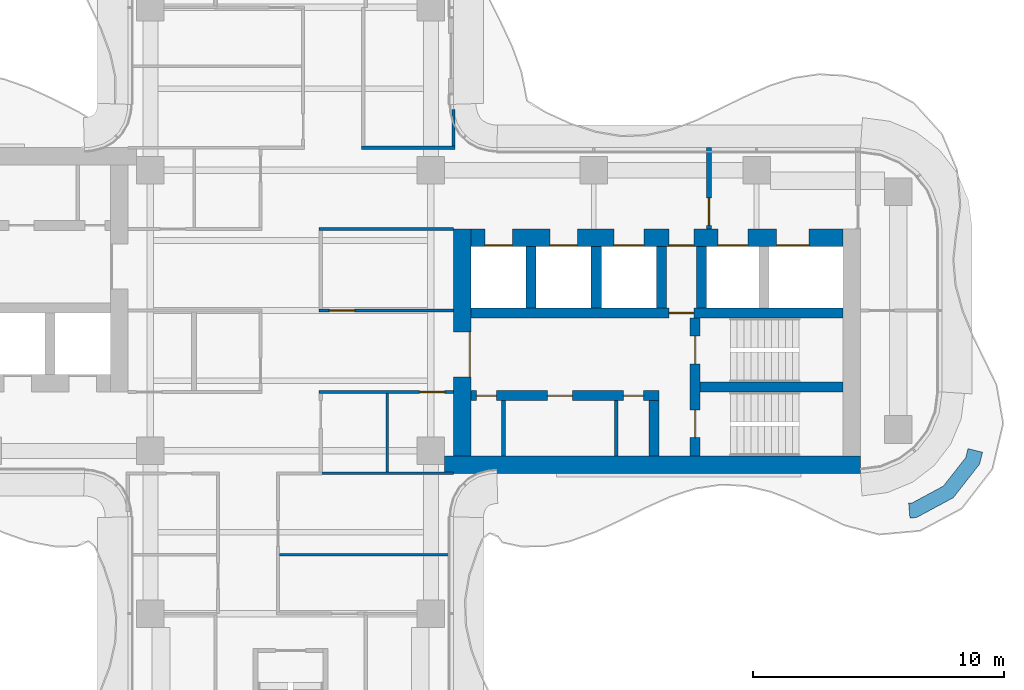
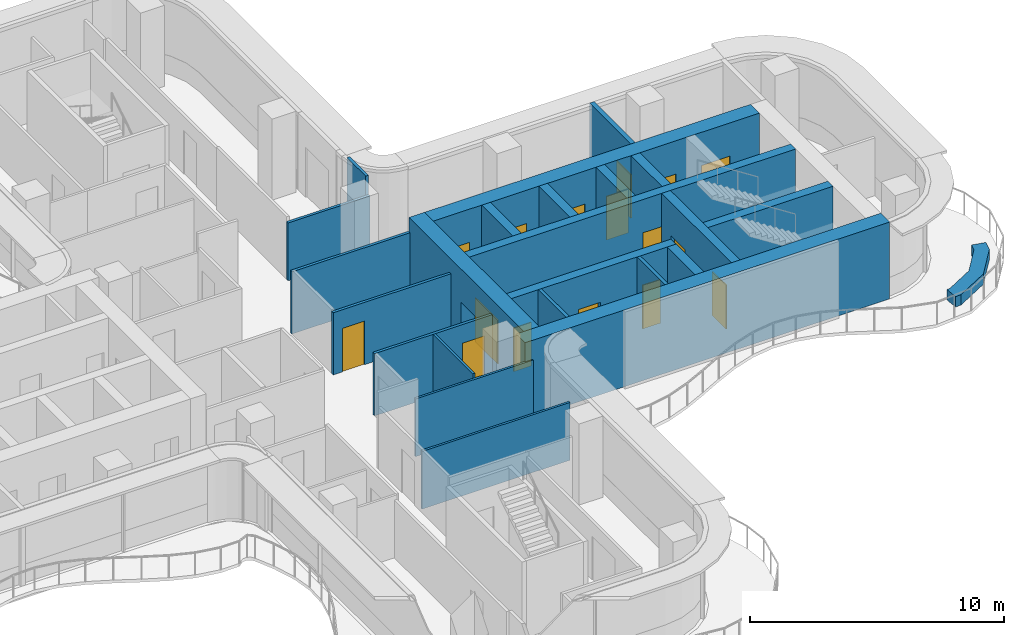
# One storey, part 13 of 16: 24 walls, 16 doors, 16 openings.
"""IFC4 building model written with IfcOpenShell, lengths in metres."""

from ifc_helpers import new_model, si_unit, direction, frame, frame_2d, origin, place, context, subcontext, project, spatial, polyline, rectangle, outline, extrude, source, transform, mapped, material, layer, layer_set, type_object, element, fill, save


model = new_model("IFC4")

# Units and contexts
model_context = context("Model", 3, precision=1e-05, world=origin(), true_north=direction((0.0, 1.0)))
body_context = subcontext(model_context, "Body", "Model", "MODEL_VIEW")
ifc_project = project(units=[si_unit("LENGTHUNIT", "METRE"), si_unit("AREAUNIT", "SQUARE_METRE"), si_unit("VOLUMEUNIT", "CUBIC_METRE"), si_unit("PLANEANGLEUNIT", "RADIAN"), si_unit("MASSUNIT", "GRAM", prefix="KILO")], contexts=[model_context])

# Site, building, storey
site_placement = place(None, origin())
site = spatial("IfcSite", under=ifc_project, at=site_placement, CompositionType="ELEMENT")
building_placement = place(site_placement, origin())
building = spatial("IfcBuilding", under=site, at=building_placement, Name="Trellis Farm Tower", CompositionType="ELEMENT")
storey_placement = place(building_placement, frame((0.0, 0.0, 263.60009765625)))
storey = spatial("IfcBuildingStorey", under=building, at=storey_placement, Name="L59", CompositionType="ELEMENT", Elevation=263.60009765625)

# Wall
ifc_material_1 = material(Name="Sandstone faced masonry planter", Category="masonry")
ifc_layer_1 = layer(ifc_material_1, 0.60009765625)
ifc_layer_set_1 = layer_set([ifc_layer_1], Name="PLANTER BED 600")
wall_type_1 = type_object("IfcWallType", Name="PLANTER BED 600", PredefinedType="USERDEFINED", material=ifc_layer_set_1)
wall_1_placement = place(storey_placement, origin())
element("IfcWall", 1, at=wall_1_placement, inside=storey, type_object=wall_type_1, Name="PLANTER bed", ObjectType="PLANTER", PredefinedType="USERDEFINED", context=body_context, shape_type="SweptSolid", body=[
    extrude(outline(polyline([(26.451416015625, -7.475341796875), (24.988525390625, -8.263427734375), (24.72216796875, -8.287109375), (24.6689453125, -7.689697265625), (24.8125, -7.6767578125), (26.056396484375, -7.006591796875), (26.950439453125, -5.864990234375), (27.0361328125, -5.5126953125), (27.619140625, -5.654296875), (27.5029296875, -6.1328125), (26.451416015625, -7.475341796875)])), origin(), (0.0, 0.0, 1.0), 0.5),
])

# Wall, opening, door
ifc_material_2 = material(Name="Concrete C60/75", Category="concrete")
ifc_layer_2 = layer(ifc_material_2, 0.699951171875)
ifc_layer_set_2 = layer_set([ifc_layer_2], Name="CORE OUTER WALL 700 CONCRETE C60/75")
wall_type_2 = type_object("IfcWallType", Name="CORE OUTER WALL 700 CONCRETE C60/75", PredefinedType="SHEAR", material=ifc_layer_set_2)
shared_shape_1 = source(origin(), body_context, "Body", "SweptSolid", [
    extrude(rectangle(XDim=9.050048828125, YDim=0.699951171875, at=frame_2d((4.52490234375, 0.0))), origin(), (0.0, 0.0, 1.0), 3.699951171875),
])
wall_2_placement = place(storey_placement, frame((6.85009765625, -5.800048828125, 0.0), z_axis=(0.0, 0.0, 1.0), x_axis=(0.0, 1.0, 0.0)))
wall_2 = element("IfcWall", 2, at=wall_2_placement, inside=storey, type_object=wall_type_2, Name="Core wall", PredefinedType="SHEAR", context=body_context, shape_type="MappedRepresentation", body=[
    mapped(shared_shape_1, transform((0.0, 0.0, 0.0))),
])
shared_shape_2 = source(origin(), body_context, "Body", "SweptSolid", [
    extrude(rectangle(XDim=1.800048828125, YDim=2.10009765625, at=frame_2d((0.89990234375, 1.050048828125))), frame((0.0, 0.360107421875, 0.0), z_axis=(0.0, -1.0, 0.0), x_axis=(1.0, 0.0, 0.0)), (0.0, 0.0, 1.0), 0.72021484375),
])
opening_1_placement = place(wall_2_placement, frame((3.14990234375, 0.0, 0.0)))
opening_1 = element("IfcOpeningElement", 3, at=opening_1_placement, cuts=wall_2, Name="Opening DC1", PredefinedType="OPENING", context=body_context, shape_type="MappedRepresentation", body=[
    mapped(shared_shape_2, transform((0.0, 0.0, 0.0))),
])
ifc_material_3 = material(Name="Steel", Category="steel")
door_type_1 = type_object("IfcDoorType", Name="CORE FIRE DOOR DOUBLE 1800 X 2100", OperationType="DOUBLE_DOOR_SINGLE_SWING", PredefinedType="DOOR", material=ifc_material_3)
shared_shape_3 = source(origin(), body_context, "Body", "SweptSolid", [
    extrude(rectangle(XDim=1.800048828125, YDim=2.10009765625, at=frame_2d((0.89990234375, 1.050048828125))), frame((0.0, -0.27490234375, 0.0), z_axis=(0.0, -1.0, 0.0), x_axis=(1.0, 0.0, 0.0)), (0.0, 0.0, 1.0), 0.050048828125),
])
door_1_placement = place(opening_1_placement, origin())
door_1 = element("IfcDoor", 4, at=door_1_placement, inside=storey, type_object=door_type_1, Name="Core door", OperationType="DOUBLE_DOOR_SINGLE_SWING", OverallHeight=2.10009765625, OverallWidth=1.800048828125, PredefinedType="DOOR", context=body_context, shape_type="MappedRepresentation", body=[
    mapped(shared_shape_3, transform((0.0, 0.0, 0.0))),
])
fill(opening_1, door_1)

# Walls
ifc_layer_3 = layer(ifc_material_2, 0.39990234375)
ifc_layer_set_3 = layer_set([ifc_layer_3], Name="CORE INNER WALL 400 CONCRETE C60/75")
wall_type_3 = type_object("IfcWallType", Name="CORE INNER WALL 400 CONCRETE C60/75", PredefinedType="SHEAR", material=ifc_layer_set_3)
shared_shape_4 = source(origin(), body_context, "Body", "SweptSolid", [
    extrude(rectangle(XDim=2.449951171875, YDim=0.39990234375, at=frame_2d((1.22509765625, 0.0))), origin(), (0.0, 0.0, 1.0), 3.699951171875),
])
for number, where, z_axis, x_axis, name in (
    (5, (9.60009765625, 0.10009765625, 0.0), (0.0, 0.0, 1.0), (0.0, 1.0, 0.0), "Core wall"),
    (6, (12.199951171875, 0.10009765625, 0.0), (0.0, 0.0, 1.0), (0.0, 1.0, 0.0), "Core wall"),
    (7, (14.800048828125, 0.10009765625, 0.0), (0.0, 0.0, 1.0), (0.0, 1.0, 0.0), "Core wall"),
    (8, (16.39990234375, 0.10009765625, 0.0), (0.0, 0.0, 1.0), (0.0, 1.0, 0.0), "Core wall"),
):
    element("IfcWall", number, at=place(storey_placement, frame(where, z_axis=z_axis, x_axis=x_axis)), inside=storey, type_object=wall_type_3, Name=name, PredefinedType="SHEAR", context=body_context, shape_type="MappedRepresentation", body=[
        mapped(shared_shape_4, transform((0.0, 0.0, 0.0))),
    ])

# Wall, opening, door
ifc_material_4 = material(Name="Masonry blockwork", Category="masonry")
ifc_layer_4 = layer(ifc_material_4, 0.199951171875)
ifc_layer_set_4 = layer_set([ifc_layer_4], Name="FIRE LOBBY PARTITION 200 BLOCKWORK")
wall_type_4 = type_object("IfcWallType", Name="FIRE LOBBY PARTITION 200 BLOCKWORK", PredefinedType="PARTITIONING", material=ifc_layer_set_4)
shared_shape_5 = source(origin(), body_context, "Body", "SweptSolid", [
    extrude(rectangle(XDim=3.25, YDim=0.199951171875, at=frame_2d((1.625, 0.0))), origin(), (0.0, 0.0, 1.0), 3.699951171875),
])
wall_3_placement = place(storey_placement, frame((16.699951171875, 3.25, 0.0), z_axis=(0.0, 0.0, 1.0), x_axis=(0.0, 1.0, 0.0)))
wall_3 = element("IfcWall", 9, at=wall_3_placement, inside=storey, type_object=wall_type_4, Name="Fire-fighting lobby partition", PredefinedType="PARTITIONING", context=body_context, shape_type="MappedRepresentation", body=[
    mapped(shared_shape_5, transform((0.0, 0.0, 0.0))),
])
shared_shape_6 = source(origin(), body_context, "Body", "SweptSolid", [
    extrude(rectangle(XDim=1.10009765625, YDim=2.10009765625, at=frame_2d((0.550048828125, 1.050048828125))), frame((0.0, 0.110107421875, 0.0), z_axis=(0.0, -1.0, 0.0), x_axis=(1.0, 0.0, 0.0)), (0.0, 0.0, 1.0), 0.22021484375),
])
opening_2_placement = place(wall_3_placement, frame((0.14990234375, 0.0, 0.0)))
opening_2 = element("IfcOpeningElement", 10, at=opening_2_placement, cuts=wall_3, Name="Opening DC7", PredefinedType="OPENING", context=body_context, shape_type="MappedRepresentation", body=[
    mapped(shared_shape_6, transform((0.0, 0.0, 0.0))),
])
door_type_2 = type_object("IfcDoorType", Name="CORE FIRE DOOR 1100 X 2100", OperationType="NOTDEFINED", PredefinedType="DOOR", material=ifc_material_3)
shared_shape_7 = source(origin(), body_context, "Body", "SweptSolid", [
    extrude(rectangle(XDim=1.10009765625, YDim=2.10009765625, at=frame_2d((0.550048828125, 1.050048828125))), frame((0.0, 0.02490234375, 0.0), z_axis=(0.0, -1.0, 0.0), x_axis=(1.0, 0.0, 0.0)), (0.0, 0.0, 1.0), 0.050048828125),
])
door_2_placement = place(opening_2_placement, origin())
door_2 = element("IfcDoor", 11, at=door_2_placement, inside=storey, type_object=door_type_2, Name="Core door", OperationType="SINGLE_SWING_RIGHT", OverallHeight=2.10009765625, OverallWidth=1.10009765625, PredefinedType="DOOR", context=body_context, shape_type="MappedRepresentation", body=[
    mapped(shared_shape_7, transform((0.0, 0.0, 0.0))),
])
fill(opening_2, door_2)

# Wall, openings, doors
shared_shape_8 = source(origin(), body_context, "Body", "SweptSolid", [
    extrude(rectangle(XDim=14.85009765625, YDim=0.699951171875, at=frame_2d((7.425048828125, 0.0))), origin(), (0.0, 0.0, 1.0), 3.699951171875),
])
wall_4_placement = place(storey_placement, frame((7.199951171875, 2.89990234375, 0.0), z_axis=(0.0, 0.0, 1.0), x_axis=(1.0, 0.0, 0.0)))
wall_4 = element("IfcWall", 12, at=wall_4_placement, inside=storey, type_object=wall_type_2, Name="Core wall", PredefinedType="SHEAR", context=body_context, shape_type="MappedRepresentation", body=[
    mapped(shared_shape_8, transform((0.0, 0.0, 0.0))),
])
shared_shape_9 = source(origin(), body_context, "Body", "SweptSolid", [
    extrude(rectangle(XDim=1.10009765625, YDim=2.10009765625, at=frame_2d((0.550048828125, 1.050048828125))), frame((0.0, 0.360107421875, 0.0), z_axis=(0.0, -1.0, 0.0), x_axis=(1.0, 0.0, 0.0)), (0.0, 0.0, 1.0), 0.72021484375),
])
opening_3_placement = place(wall_4_placement, frame((0.550048828125, 0.0, 0.0)))
opening_3 = element("IfcOpeningElement", 13, at=opening_3_placement, cuts=wall_4, Name="Opening LD4", PredefinedType="OPENING", context=body_context, shape_type="MappedRepresentation", body=[
    mapped(shared_shape_9, transform((0.0, 0.0, 0.0))),
])
opening_4_placement = place(wall_4_placement, frame((3.14990234375, 0.0, 0.0)))
opening_4 = element("IfcOpeningElement", 14, at=opening_4_placement, cuts=wall_4, Name="Opening LD5", PredefinedType="OPENING", context=body_context, shape_type="MappedRepresentation", body=[
    mapped(shared_shape_9, transform((0.0, 0.0, 0.0))),
])
shared_shape_10 = source(origin(), body_context, "Body", "SweptSolid", [
    extrude(rectangle(XDim=1.199951171875, YDim=2.10009765625, at=frame_2d((0.60009765625, 1.050048828125))), frame((0.0, 0.360107421875, 0.0), z_axis=(0.0, -1.0, 0.0), x_axis=(1.0, 0.0, 0.0)), (0.0, 0.0, 1.0), 0.72021484375),
])
opening_5_placement = place(wall_4_placement, frame((5.699951171875, 0.0, 0.0)))
opening_5 = element("IfcOpeningElement", 15, at=opening_5_placement, cuts=wall_4, Name="Opening LD6", PredefinedType="OPENING", context=body_context, shape_type="MappedRepresentation", body=[
    mapped(shared_shape_10, transform((0.0, 0.0, 0.0))),
])
shared_shape_11 = source(origin(), body_context, "Body", "SweptSolid", [
    extrude(rectangle(XDim=1.300048828125, YDim=2.10009765625, at=frame_2d((0.64990234375, 1.050048828125))), frame((0.0, 0.360107421875, 0.0), z_axis=(0.0, -1.0, 0.0), x_axis=(1.0, 0.0, 0.0)), (0.0, 0.0, 1.0), 0.72021484375),
])
opening_6_placement = place(wall_4_placement, frame((12.199951171875, 0.0, 0.0)))
opening_6 = element("IfcOpeningElement", 16, at=opening_6_placement, cuts=wall_4, Name="Opening LD7", PredefinedType="OPENING", context=body_context, shape_type="MappedRepresentation", body=[
    mapped(shared_shape_11, transform((0.0, 0.0, 0.0))),
])
opening_7_placement = place(wall_4_placement, frame((9.85009765625, 0.0, 0.0)))
opening_7 = element("IfcOpeningElement", 17, at=opening_7_placement, cuts=wall_4, Name="Opening LD8", PredefinedType="OPENING", context=body_context, shape_type="MappedRepresentation", body=[
    mapped(shared_shape_10, transform((0.0, 0.0, 0.0))),
])
shared_shape_12 = source(origin(), body_context, "Body", "SweptSolid", [
    extrude(rectangle(XDim=1.0, YDim=2.10009765625, at=frame_2d((0.5, 1.050048828125))), frame((0.0, 0.360107421875, 0.0), z_axis=(0.0, -1.0, 0.0), x_axis=(1.0, 0.0, 0.0)), (0.0, 0.0, 1.0), 0.72021484375),
])
opening_8_placement = place(wall_4_placement, frame((7.89990234375, 0.0, 0.0)))
opening_8 = element("IfcOpeningElement", 18, at=opening_8_placement, cuts=wall_4, Name="Opening DC6", PredefinedType="OPENING", context=body_context, shape_type="MappedRepresentation", body=[
    mapped(shared_shape_12, transform((0.0, 0.0, 0.0))),
])
door_type_3 = type_object("IfcDoorType", Name="CORE FIRE DOOR 1000 X 2100", OperationType="NOTDEFINED", PredefinedType="DOOR", material=ifc_material_3)
shared_shape_13 = source(origin(), body_context, "Body", "SweptSolid", [
    extrude(rectangle(XDim=1.0, YDim=2.10009765625, at=frame_2d((0.5, 1.050048828125))), frame((0.0, -0.27490234375, 0.0), z_axis=(0.0, -1.0, 0.0), x_axis=(1.0, 0.0, 0.0)), (0.0, 0.0, 1.0), 0.050048828125),
])
door_3_placement = place(opening_8_placement, origin())
door_3 = element("IfcDoor", 19, at=door_3_placement, inside=storey, type_object=door_type_3, Name="Core door", OperationType="SINGLE_SWING_LEFT", OverallHeight=2.10009765625, OverallWidth=1.0, PredefinedType="DOOR", context=body_context, shape_type="MappedRepresentation", body=[
    mapped(shared_shape_13, transform((0.0, 0.0, 0.0))),
])
fill(opening_8, door_3)
ifc_material_5 = material(Name="Stainless steel", Category="steel")
door_type_4 = type_object("IfcDoorType", Name="LIFT LANDING DOOR 1300 X 2100", OperationType="DOUBLE_DOOR_SLIDING", PredefinedType="DOOR", material=ifc_material_5)
shared_shape_14 = source(origin(), body_context, "Body", "SweptSolid", [
    extrude(rectangle(XDim=1.300048828125, YDim=2.10009765625, at=frame_2d((0.64990234375, 1.050048828125))), frame((0.0, -0.27490234375, 0.0), z_axis=(0.0, -1.0, 0.0), x_axis=(1.0, 0.0, 0.0)), (0.0, 0.0, 1.0), 0.050048828125),
])
door_4_placement = place(opening_6_placement, origin())
door_4 = element("IfcDoor", 20, at=door_4_placement, inside=storey, type_object=door_type_4, Name="Lift landing door", OperationType="DOUBLE_DOOR_SLIDING", OverallHeight=2.10009765625, OverallWidth=1.300048828125, PredefinedType="DOOR", context=body_context, shape_type="MappedRepresentation", body=[
    mapped(shared_shape_14, transform((0.0, 0.0, 0.0))),
])
fill(opening_6, door_4)
door_type_5 = type_object("IfcDoorType", Name="LIFT LANDING DOOR 1200 X 2100", OperationType="DOUBLE_DOOR_SLIDING", PredefinedType="DOOR", material=ifc_material_5)
shared_shape_15 = source(origin(), body_context, "Body", "SweptSolid", [
    extrude(rectangle(XDim=1.199951171875, YDim=2.10009765625, at=frame_2d((0.60009765625, 1.050048828125))), frame((0.0, -0.27490234375, 0.0), z_axis=(0.0, -1.0, 0.0), x_axis=(1.0, 0.0, 0.0)), (0.0, 0.0, 1.0), 0.050048828125),
])
door_5_placement = place(opening_5_placement, origin())
door_5 = element("IfcDoor", 21, at=door_5_placement, inside=storey, type_object=door_type_5, Name="Lift landing door", OperationType="DOUBLE_DOOR_SLIDING", OverallHeight=2.10009765625, OverallWidth=1.199951171875, PredefinedType="DOOR", context=body_context, shape_type="MappedRepresentation", body=[
    mapped(shared_shape_15, transform((0.0, 0.0, 0.0))),
])
fill(opening_5, door_5)
door_6_placement = place(opening_7_placement, origin())
door_6 = element("IfcDoor", 22, at=door_6_placement, inside=storey, type_object=door_type_5, Name="Lift landing door", OperationType="DOUBLE_DOOR_SLIDING", OverallHeight=2.10009765625, OverallWidth=1.199951171875, PredefinedType="DOOR", context=body_context, shape_type="MappedRepresentation", body=[
    mapped(shared_shape_15, transform((0.0, 0.0, 0.0))),
])
fill(opening_7, door_6)
door_type_6 = type_object("IfcDoorType", Name="LIFT LANDING DOOR 1100 X 2100", OperationType="DOUBLE_DOOR_SLIDING", PredefinedType="DOOR", material=ifc_material_5)
shared_shape_16 = source(origin(), body_context, "Body", "SweptSolid", [
    extrude(rectangle(XDim=1.10009765625, YDim=2.10009765625, at=frame_2d((0.550048828125, 1.050048828125))), frame((0.0, -0.27490234375, 0.0), z_axis=(0.0, -1.0, 0.0), x_axis=(1.0, 0.0, 0.0)), (0.0, 0.0, 1.0), 0.050048828125),
])
door_7_placement = place(opening_3_placement, origin())
door_7 = element("IfcDoor", 23, at=door_7_placement, inside=storey, type_object=door_type_6, Name="Lift landing door", OperationType="DOUBLE_DOOR_SLIDING", OverallHeight=2.10009765625, OverallWidth=1.10009765625, PredefinedType="DOOR", context=body_context, shape_type="MappedRepresentation", body=[
    mapped(shared_shape_16, transform((0.0, 0.0, 0.0))),
])
fill(opening_3, door_7)
door_8_placement = place(opening_4_placement, origin())
door_8 = element("IfcDoor", 24, at=door_8_placement, inside=storey, type_object=door_type_6, Name="Lift landing door", OperationType="DOUBLE_DOOR_SLIDING", OverallHeight=2.10009765625, OverallWidth=1.10009765625, PredefinedType="DOOR", context=body_context, shape_type="MappedRepresentation", body=[
    mapped(shared_shape_16, transform((0.0, 0.0, 0.0))),
])
fill(opening_4, door_8)

shared_shape_17 = source(origin(), body_context, "Body", "SweptSolid", [
    extrude(rectangle(XDim=7.5, YDim=0.39990234375, at=frame_2d((3.75, 0.0))), origin(), (0.0, 0.0, 1.0), 3.699951171875),
])
wall_5_placement = place(storey_placement, frame((7.199951171875, -3.39990234375, 0.0), z_axis=(0.0, 0.0, 1.0), x_axis=(1.0, 0.0, 0.0)))
wall_5 = element("IfcWall", 25, at=wall_5_placement, inside=storey, type_object=wall_type_3, Name="Core wall", PredefinedType="SHEAR", context=body_context, shape_type="MappedRepresentation", body=[
    mapped(shared_shape_17, transform((0.0, 0.0, 0.0))),
])
shared_shape_18 = source(origin(), body_context, "Body", "SweptSolid", [
    extrude(rectangle(XDim=0.800048828125, YDim=2.10009765625, at=frame_2d((0.39990234375, 1.050048828125))), frame((0.0, 0.2099609375, 0.0), z_axis=(0.0, -1.0, 0.0), x_axis=(1.0, 0.0, 0.0)), (0.0, 0.0, 1.0), 0.419921875),
])
opening_9_placement = place(wall_5_placement, frame((0.21240234375, 0.0, 0.0)))
opening_9 = element("IfcOpeningElement", 26, at=opening_9_placement, cuts=wall_5, Name="Opening DC51", PredefinedType="OPENING", context=body_context, shape_type="MappedRepresentation", body=[
    mapped(shared_shape_18, transform((0.0, 0.0, 0.0))),
])
shared_shape_19 = source(origin(), body_context, "Body", "SweptSolid", [
    extrude(rectangle(XDim=1.0, YDim=2.10009765625, at=frame_2d((0.5, 1.050048828125))), frame((0.0, 0.2099609375, 0.0), z_axis=(0.0, -1.0, 0.0), x_axis=(1.0, 0.0, 0.0)), (0.0, 0.0, 1.0), 0.419921875),
])
opening_10_placement = place(wall_5_placement, frame((3.050048828125, 0.0, 0.0)))
opening_10 = element("IfcOpeningElement", 27, at=opening_10_placement, cuts=wall_5, Name="Opening DC62", PredefinedType="OPENING", context=body_context, shape_type="MappedRepresentation", body=[
    mapped(shared_shape_19, transform((0.0, 0.0, 0.0))),
])
opening_11_placement = place(wall_5_placement, frame((6.08740234375, 0.0, 0.0)))
opening_11 = element("IfcOpeningElement", 28, at=opening_11_placement, cuts=wall_5, Name="Opening DC63", PredefinedType="OPENING", context=body_context, shape_type="MappedRepresentation", body=[
    mapped(shared_shape_18, transform((0.0, 0.0, 0.0))),
])
shared_shape_20 = source(origin(), body_context, "Body", "SweptSolid", [
    extrude(rectangle(XDim=1.0, YDim=2.10009765625, at=frame_2d((0.5, 1.050048828125))), frame((0.0, 0.02490234375, 0.0), z_axis=(0.0, -1.0, 0.0), x_axis=(1.0, 0.0, 0.0)), (0.0, 0.0, 1.0), 0.050048828125),
])
door_9_placement = place(opening_10_placement, origin())
door_9 = element("IfcDoor", 29, at=door_9_placement, inside=storey, type_object=door_type_3, Name="Core door", OperationType="SINGLE_SWING_RIGHT", OverallHeight=2.10009765625, OverallWidth=1.0, PredefinedType="DOOR", context=body_context, shape_type="MappedRepresentation", body=[
    mapped(shared_shape_20, transform((0.0, 0.0, 0.0))),
])
fill(opening_10, door_9)
door_type_7 = type_object("IfcDoorType", Name="CORE FIRE DOOR 800 X 2100", OperationType="NOTDEFINED", PredefinedType="DOOR", material=ifc_material_3)
shared_shape_21 = source(origin(), body_context, "Body", "SweptSolid", [
    extrude(rectangle(XDim=0.800048828125, YDim=2.10009765625, at=frame_2d((0.39990234375, 1.050048828125))), frame((0.0, 0.02490234375, 0.0), z_axis=(0.0, -1.0, 0.0), x_axis=(1.0, 0.0, 0.0)), (0.0, 0.0, 1.0), 0.050048828125),
])
door_10_placement = place(opening_9_placement, origin())
door_10 = element("IfcDoor", 30, at=door_10_placement, inside=storey, type_object=door_type_7, Name="Core door", OperationType="SINGLE_SWING_LEFT", OverallHeight=2.10009765625, OverallWidth=0.800048828125, PredefinedType="DOOR", context=body_context, shape_type="MappedRepresentation", body=[
    mapped(shared_shape_21, transform((0.0, 0.0, 0.0))),
])
fill(opening_9, door_10)
door_11_placement = place(opening_11_placement, origin())
door_11 = element("IfcDoor", 31, at=door_11_placement, inside=storey, type_object=door_type_7, Name="Core door", OperationType="SINGLE_SWING_LEFT", OverallHeight=2.10009765625, OverallWidth=0.800048828125, PredefinedType="DOOR", context=body_context, shape_type="MappedRepresentation", body=[
    mapped(shared_shape_21, transform((0.0, 0.0, 0.0))),
])
fill(opening_11, door_11)

# Wall, opening, door
shared_shape_22 = source(origin(), body_context, "Body", "SweptSolid", [
    extrude(rectangle(XDim=14.85009765625, YDim=0.39990234375, at=frame_2d((7.425048828125, 0.0))), origin(), (0.0, 0.0, 1.0), 3.699951171875),
])
wall_6_placement = place(storey_placement, frame((7.199951171875, -0.10009765625, 0.0), z_axis=(0.0, 0.0, 1.0), x_axis=(1.0, 0.0, 0.0)))
wall_6 = element("IfcWall", 32, at=wall_6_placement, inside=storey, type_object=wall_type_3, Name="Core wall", PredefinedType="SHEAR", context=body_context, shape_type="MappedRepresentation", body=[
    mapped(shared_shape_22, transform((0.0, 0.0, 0.0))),
])
opening_12_placement = place(wall_6_placement, frame((7.89990234375, 0.0, 0.0)))
opening_12 = element("IfcOpeningElement", 33, at=opening_12_placement, cuts=wall_6, Name="Opening DC5", PredefinedType="OPENING", context=body_context, shape_type="MappedRepresentation", body=[
    mapped(shared_shape_19, transform((0.0, 0.0, 0.0))),
])
door_12_placement = place(opening_12_placement, origin())
door_12 = element("IfcDoor", 34, at=door_12_placement, inside=storey, type_object=door_type_3, Name="Core door", OperationType="SINGLE_SWING_RIGHT", OverallHeight=2.10009765625, OverallWidth=1.0, PredefinedType="DOOR", context=body_context, shape_type="MappedRepresentation", body=[
    mapped(shared_shape_20, transform((0.0, 0.0, 0.0))),
])
fill(opening_12, door_12)

# Wall, openings, doors
shared_shape_23 = source(origin(), body_context, "Body", "SweptSolid", [
    extrude(rectangle(XDim=5.5, YDim=0.39990234375, at=frame_2d((2.75, 0.0))), origin(), (0.0, 0.0, 1.0), 3.699951171875),
])
wall_7_placement = place(storey_placement, frame((16.14990234375, -5.800048828125, 0.0), z_axis=(0.0, 0.0, 1.0), x_axis=(0.0, 1.0, 0.0)))
wall_7 = element("IfcWall", 35, at=wall_7_placement, inside=storey, type_object=wall_type_3, Name="Core wall", PredefinedType="SHEAR", context=body_context, shape_type="MappedRepresentation", body=[
    mapped(shared_shape_23, transform((0.0, 0.0, 0.0))),
])
shared_shape_24 = source(origin(), body_context, "Body", "SweptSolid", [
    extrude(rectangle(XDim=1.10009765625, YDim=2.10009765625, at=frame_2d((0.550048828125, 1.050048828125))), frame((0.0, 0.2099609375, 0.0), z_axis=(0.0, -1.0, 0.0), x_axis=(1.0, 0.0, 0.0)), (0.0, 0.0, 1.0), 0.419921875),
])
opening_13_placement = place(wall_7_placement, frame((0.72509765625, 0.0, 0.0)))
opening_13 = element("IfcOpeningElement", 36, at=opening_13_placement, cuts=wall_7, Name="Opening DC2", PredefinedType="OPENING", context=body_context, shape_type="MappedRepresentation", body=[
    mapped(shared_shape_24, transform((0.0, 0.0, 0.0))),
])
opening_14_placement = place(wall_7_placement, frame((3.675048828125, 0.0, 0.0)))
opening_14 = element("IfcOpeningElement", 37, at=opening_14_placement, cuts=wall_7, Name="Opening DC3", PredefinedType="OPENING", context=body_context, shape_type="MappedRepresentation", body=[
    mapped(shared_shape_24, transform((0.0, 0.0, 0.0))),
])
door_13_placement = place(opening_13_placement, origin())
door_13 = element("IfcDoor", 38, at=door_13_placement, inside=storey, type_object=door_type_2, Name="Core door", OperationType="SINGLE_SWING_RIGHT", OverallHeight=2.10009765625, OverallWidth=1.10009765625, PredefinedType="DOOR", context=body_context, shape_type="MappedRepresentation", body=[
    mapped(shared_shape_7, transform((0.0, 0.0, 0.0))),
])
fill(opening_13, door_13)
door_14_placement = place(opening_14_placement, origin())
door_14 = element("IfcDoor", 39, at=door_14_placement, inside=storey, type_object=door_type_2, Name="Core door", OperationType="SINGLE_SWING_LEFT", OverallHeight=2.10009765625, OverallWidth=1.10009765625, PredefinedType="DOOR", context=body_context, shape_type="MappedRepresentation", body=[
    mapped(shared_shape_7, transform((0.0, 0.0, 0.0))),
])
fill(opening_14, door_14)

# Walls
shared_shape_25 = source(origin(), body_context, "Body", "SweptSolid", [
    extrude(rectangle(XDim=5.699951171875, YDim=0.39990234375, at=frame_2d((2.85009765625, 0.0))), origin(), (0.0, 0.0, 1.0), 3.699951171875),
])
wall_8_placement = place(storey_placement, frame((16.35009765625, -3.050048828125, 0.0), z_axis=(0.0, 0.0, 1.0), x_axis=(1.0, 0.0, 0.0)))
element("IfcWall", 40, at=wall_8_placement, inside=storey, type_object=wall_type_3, Name="Core wall", PredefinedType="SHEAR", context=body_context, shape_type="MappedRepresentation", body=[
    mapped(shared_shape_25, transform((0.0, 0.0, 0.0))),
])
shared_shape_26 = source(origin(), body_context, "Body", "SweptSolid", [
    extrude(rectangle(XDim=2.199951171875, YDim=0.39990234375, at=frame_2d((1.10009765625, 0.0))), origin(), (0.0, 0.0, 1.0), 3.699951171875),
])
wall_9_placement = place(storey_placement, frame((14.5, -5.800048828125, 0.0), z_axis=(0.0, 0.0, 1.0), x_axis=(0.0, 1.0, 0.0)))
element("IfcWall", 41, at=wall_9_placement, inside=storey, type_object=wall_type_3, Name="Core wall", PredefinedType="SHEAR", context=body_context, shape_type="MappedRepresentation", body=[
    mapped(shared_shape_26, transform((0.0, 0.0, 0.0))),
])
ifc_layer_5 = layer(ifc_material_4, 0.14990234375)
ifc_layer_set_5 = layer_set([ifc_layer_5], Name="CORE PARTITION 150 BLOCKWORK")
wall_type_5 = type_object("IfcWallType", Name="CORE PARTITION 150 BLOCKWORK", PredefinedType="PARTITIONING", material=ifc_layer_set_5)
shared_shape_27 = source(origin(), body_context, "Body", "SweptSolid", [
    extrude(rectangle(XDim=2.199951171875, YDim=0.14990234375, at=frame_2d((1.10009765625, 0.0))), origin(), (0.0, 0.0, 1.0), 3.699951171875),
])
for number, where, z_axis, x_axis, name in (
    (42, (8.5, -5.800048828125, 0.0), (0.0, 0.0, 1.0), (0.0, 1.0, 0.0), "Core room partition"),
    (43, (13.0, -5.800048828125, 0.0), (0.0, 0.0, 1.0), (0.0, 1.0, 0.0), "Core room partition"),
):
    element("IfcWall", number, at=place(storey_placement, frame(where, z_axis=z_axis, x_axis=x_axis)), inside=storey, type_object=wall_type_5, Name=name, PredefinedType="PARTITIONING", context=body_context, shape_type="MappedRepresentation", body=[
        mapped(shared_shape_27, transform((0.0, 0.0, 0.0))),
    ])
shared_shape_28 = source(origin(), body_context, "Body", "SweptSolid", [
    extrude(rectangle(XDim=16.60009765625, YDim=0.699951171875, at=frame_2d((8.300048828125, 0.0))), origin(), (0.0, 0.0, 1.0), 3.699951171875),
])
wall_10_placement = place(storey_placement, frame((6.14990234375, -6.14990234375, 0.0), z_axis=(0.0, 0.0, 1.0), x_axis=(1.0, 0.0, 0.0)))
element("IfcWall", 44, at=wall_10_placement, inside=storey, type_object=wall_type_2, Name="Core wall", PredefinedType="SHEAR", context=body_context, shape_type="MappedRepresentation", body=[
    mapped(shared_shape_28, transform((0.0, 0.0, 0.0))),
])
ifc_material_6 = material(Name="Plasterboard on steel studs, mineral wool", Category="steel")
ifc_layer_6 = layer(ifc_material_6, 0.125)
ifc_layer_set_6 = layer_set([ifc_layer_6], Name="PARTITION 125 STUD EI 60")
wall_type_6 = type_object("IfcWallType", Name="PARTITION 125 STUD EI 60", PredefinedType="PARTITIONING", material=ifc_layer_set_6)
shared_shape_29 = source(origin(), body_context, "Body", "SweptSolid", [
    extrude(rectangle(XDim=1.468994140625, YDim=0.125, at=frame_2d((0.734375, 0.0))), origin(), (0.0, 0.0, 1.0), 3.699951171875),
])
wall_11_placement = place(storey_placement, frame((6.5, 6.5625, 0.0), z_axis=(0.0, 0.0, 1.0), x_axis=(0.0, 1.0, 0.0)))
element("IfcWall", 45, at=wall_11_placement, inside=storey, type_object=wall_type_6, Name="Partition PW1", PredefinedType="PARTITIONING", context=body_context, shape_type="MappedRepresentation", body=[
    mapped(shared_shape_29, transform((0.0, 0.0, 0.0))),
])

# Wall, opening, door
shared_shape_30 = source(origin(), body_context, "Body", "SweptSolid", [
    extrude(rectangle(XDim=5.362548828125, YDim=0.125, at=frame_2d((2.68115234375, 0.0))), origin(), (0.0, 0.0, 1.0), 2.99658203125),
])
wall_12_placement = place(storey_placement, frame((6.5, -3.25, 0.0), z_axis=(0.0, 0.0, 1.0), x_axis=(-1.0, 0.0, 0.0)))
wall_12 = element("IfcWall", 46, at=wall_12_placement, inside=storey, type_object=wall_type_6, Name="Partition PW1", PredefinedType="PARTITIONING", context=body_context, shape_type="MappedRepresentation", body=[
    mapped(shared_shape_30, transform((0.0, 0.0, 0.0))),
])
shared_shape_31 = source(origin(), body_context, "Body", "SweptSolid", [
    extrude(rectangle(XDim=1.0, YDim=2.10009765625, at=frame_2d((0.5, 1.050048828125))), frame((0.0, 0.072509765625, 0.0), z_axis=(0.0, -1.0, 0.0), x_axis=(1.0, 0.0, 0.0)), (0.0, 0.0, 1.0), 0.14501953125),
])
opening_15_placement = place(wall_12_placement, frame((0.35009765625, 0.0, 0.0)))
opening_15 = element("IfcOpeningElement", 47, at=opening_15_placement, cuts=wall_12, Name="Opening D107", PredefinedType="OPENING", context=body_context, shape_type="MappedRepresentation", body=[
    mapped(shared_shape_31, transform((0.0, 0.0, 0.0))),
])
ifc_material_7 = material(Name="Fire-rated timber door leaf in a hollow metal frame", Category="wood")
door_type_8 = type_object("IfcDoorType", Name="DOOR 1000x2100 FD30S", OperationType="NOTDEFINED", PredefinedType="DOOR", material=ifc_material_7)
door_15_placement = place(opening_15_placement, origin())
door_15 = element("IfcDoor", 48, at=door_15_placement, inside=storey, type_object=door_type_8, Name="Door D107", OperationType="SINGLE_SWING_LEFT", OverallHeight=2.10009765625, OverallWidth=1.0, PredefinedType="DOOR", context=body_context, shape_type="MappedRepresentation", body=[
    mapped(shared_shape_20, transform((0.0, 0.0, 0.0))),
])
fill(opening_15, door_15)

wall_13_placement = place(storey_placement, frame((6.5, 0.0, 0.0), z_axis=(0.0, 0.0, 1.0), x_axis=(-1.0, 0.0, 0.0)))
wall_13 = element("IfcWall", 49, at=wall_13_placement, inside=storey, type_object=wall_type_6, Name="Partition PW1", PredefinedType="PARTITIONING", context=body_context, shape_type="MappedRepresentation", body=[
    mapped(shared_shape_30, transform((0.0, 0.0, 0.0))),
])
opening_16_placement = place(wall_13_placement, frame((3.949951171875, 0.0, 0.0)))
opening_16 = element("IfcOpeningElement", 50, at=opening_16_placement, cuts=wall_13, Name="Opening D108", PredefinedType="OPENING", context=body_context, shape_type="MappedRepresentation", body=[
    mapped(shared_shape_31, transform((0.0, 0.0, 0.0))),
])
door_16_placement = place(opening_16_placement, origin())
door_16 = element("IfcDoor", 51, at=door_16_placement, inside=storey, type_object=door_type_8, Name="Door D108", OperationType="SINGLE_SWING_RIGHT", OverallHeight=2.10009765625, OverallWidth=1.0, PredefinedType="DOOR", context=body_context, shape_type="MappedRepresentation", body=[
    mapped(shared_shape_20, transform((0.0, 0.0, 0.0))),
])
fill(opening_16, door_16)

# Walls
wall_14_placement = place(storey_placement, frame((1.137451171875, 3.25, 0.0), z_axis=(0.0, 0.0, 1.0), x_axis=(1.0, 0.0, 0.0)))
element("IfcWall", 52, at=wall_14_placement, inside=storey, type_object=wall_type_6, Name="Partition PW1", PredefinedType="PARTITIONING", context=body_context, shape_type="MappedRepresentation", body=[
    mapped(shared_shape_30, transform((0.0, 0.0, 0.0))),
])
ifc_material_8 = material(Name="Plasterboard on steel studs", Category="steel")
ifc_layer_7 = layer(ifc_material_8, 0.10009765625)
ifc_layer_set_7 = layer_set([ifc_layer_7], Name="PARTITION 100 STUD EI 30")
wall_type_7 = type_object("IfcWallType", Name="PARTITION 100 STUD EI 30", PredefinedType="PARTITIONING", material=ifc_layer_set_7)
shared_shape_32 = source(origin(), body_context, "Body", "SweptSolid", [
    extrude(rectangle(XDim=3.137451171875, YDim=0.10009765625, at=frame_2d((1.56884765625, 0.0))), origin(), (0.0, 0.0, 1.0), 2.99658203125),
])
wall_15_placement = place(storey_placement, frame((3.85009765625, -6.449951171875, 0.0), z_axis=(0.0, 0.0, 1.0), x_axis=(0.0, 1.0, 0.0)))
element("IfcWall", 53, at=wall_15_placement, inside=storey, type_object=wall_type_7, Name="Partition PW2", PredefinedType="PARTITIONING", context=body_context, shape_type="MappedRepresentation", body=[
    mapped(shared_shape_32, transform((0.0, 0.0, 0.0))),
])
shared_shape_33 = source(origin(), body_context, "Body", "SweptSolid", [
    extrude(rectangle(XDim=5.362548828125, YDim=0.10009765625, at=frame_2d((2.68115234375, 0.0))), origin(), (0.0, 0.0, 1.0), 2.77978515625),
])
wall_16_placement = place(storey_placement, frame((1.137451171875, -6.5, 0.0), z_axis=(0.0, 0.0, 1.0), x_axis=(1.0, 0.0, 0.0)))
element("IfcWall", 54, at=wall_16_placement, inside=storey, type_object=wall_type_7, Name="Partition PW2", PredefinedType="PARTITIONING", context=body_context, shape_type="MappedRepresentation", body=[
    mapped(shared_shape_33, transform((0.0, 0.0, 0.0))),
])
shared_shape_34 = source(origin(), body_context, "Body", "SweptSolid", [
    extrude(rectangle(XDim=3.72509765625, YDim=0.125, at=frame_2d((1.862548828125, 0.0))), origin(), (0.0, 0.0, 1.0), 2.77978515625),
])
wall_17_placement = place(storey_placement, frame((2.83740234375, 6.5, 0.0), z_axis=(0.0, 0.0, 1.0), x_axis=(1.0, 0.0, 0.0)))
element("IfcWall", 55, at=wall_17_placement, inside=storey, type_object=wall_type_6, Name="Partition PW1", PredefinedType="PARTITIONING", context=body_context, shape_type="MappedRepresentation", body=[
    mapped(shared_shape_34, transform((0.0, 0.0, 0.0))),
])
shared_shape_35 = source(origin(), body_context, "Body", "SweptSolid", [
    extrude(rectangle(XDim=6.737548828125, YDim=0.10009765625, at=frame_2d((3.36865234375, 0.0))), origin(), (0.0, 0.0, 1.0), 2.77978515625),
])
wall_18_placement = place(storey_placement, frame((-0.4375, -9.75, 0.0), z_axis=(0.0, 0.0, 1.0), x_axis=(1.0, 0.0, 0.0)))
element("IfcWall", 56, at=wall_18_placement, inside=storey, type_object=wall_type_7, Name="Partition PW2", PredefinedType="PARTITIONING", context=body_context, shape_type="MappedRepresentation", body=[
    mapped(shared_shape_35, transform((0.0, 0.0, 0.0))),
])

save(model, "model.ifc")
